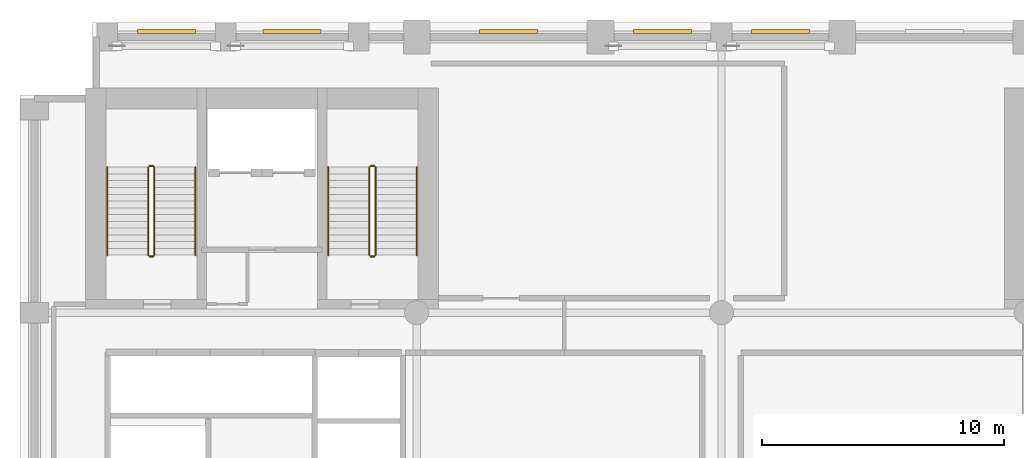
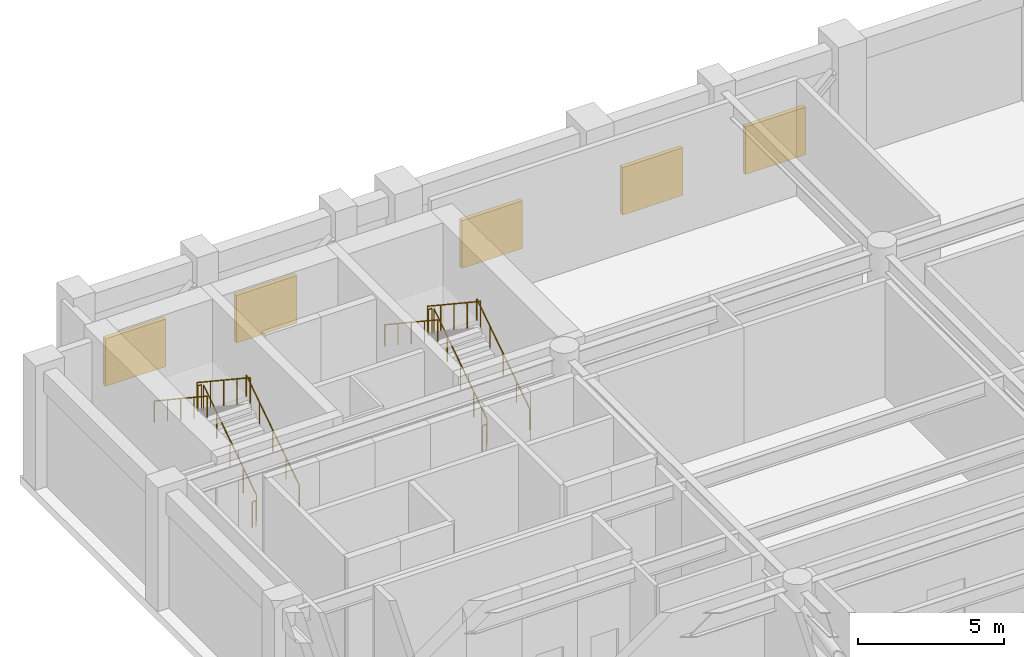
# One storey, part 10 of 11: 12 railings, 5 shading devices.
"""IFC4 building model written with IfcOpenShell, lengths in metres."""

from ifc_helpers import new_model, si_unit, direction, frame, origin, origin_2d, place, context, subcontext, project, spatial, rectangle, circle, extrude, material, type_object, element, save


model = new_model("IFC4")

# Units and contexts
model_context = context("Model", 3, precision=1e-05, world=origin(), true_north=direction((0.0, 1.0)))
body_context = subcontext(model_context, "Body", "Model", "MODEL_VIEW")
ifc_project = project(units=[si_unit("LENGTHUNIT", "METRE"), si_unit("AREAUNIT", "SQUARE_METRE"), si_unit("VOLUMEUNIT", "CUBIC_METRE"), si_unit("PLANEANGLEUNIT", "RADIAN"), si_unit("MASSUNIT", "GRAM", prefix="KILO")], contexts=[model_context])

# Site, building, storey
site_placement = place(None, origin())
site = spatial("IfcSite", under=ifc_project, at=site_placement, CompositionType="ELEMENT")
building_placement = place(site_placement, origin())
building = spatial("IfcBuilding", under=site, at=building_placement, Name="Sulina Concourse Tower", CompositionType="ELEMENT")
storey_placement = place(building_placement, frame((0.0, 0.0, 82.60009765625)))
storey = spatial("IfcBuildingStorey", under=building, at=storey_placement, Name="L20", CompositionType="ELEMENT", Elevation=82.60009765625)

# Railings
ifc_material_1 = material(Name="Galvanised steel railing", Category="steel")
railing_type_1 = type_object("IfcRailingType", Name="Core Stair Steel Guardrail 1150mm", PredefinedType="GUARDRAIL", material=ifc_material_1)
railing_1_placement = place(storey_placement, frame((5.554931640625, 36.375, 0.185546875)))
element("IfcRailing", 1, at=railing_1_placement, inside=storey, type_object=railing_type_1, Name="L20 ST-1 stair guard 1", PredefinedType="GUARDRAIL", context=body_context, shape_type="SweptSolid", body=[
    extrude(circle(Radius=0.02392578125, at=origin_2d()), frame((0.0, 0.0, 1.076171875), z_axis=(0.0, 0.833346510843, 0.552750932036), x_axis=(-1.0, 0.0, 0.0)), (0.0, 0.0, 1.0), 4.367919921875),
    extrude(circle(Radius=0.02099609375, at=origin_2d()), origin(), (0.0, 0.0, 1.0), 1.052001953125),
    extrude(circle(Radius=0.02099609375, at=origin_2d()), frame((0.0, 0.909912109375, 0.603515625)), (0.0, 0.0, 1.0), 1.052001953125),
    extrude(circle(Radius=0.02099609375, at=origin_2d()), frame((0.0, 1.81982421875, 1.20703125)), (0.0, 0.0, 1.0), 1.052001953125),
    extrude(circle(Radius=0.02099609375, at=origin_2d()), frame((0.0, 2.72998046875, 1.810791015625)), (0.0, 0.0, 1.0), 1.052001953125),
    extrude(circle(Radius=0.02099609375, at=origin_2d()), frame((0.0, 3.639892578125, 2.414306640625)), (0.0, 0.0, 1.0), 1.052001953125),
])
railing_2_placement = place(storey_placement, frame((5.5048828125, 40.06494140625, 2.599853515625)))
element("IfcRailing", 2, at=railing_2_placement, inside=storey, type_object=railing_type_1, Name="L20 ST-1 stair guard 2", PredefinedType="GUARDRAIL", context=body_context, shape_type="SweptSolid", body=[
    extrude(circle(Radius=0.02392578125, at=origin_2d()), frame((0.0, 0.0, 1.076171875), z_axis=(-1.0, 0.0, 0.0), x_axis=(0.0, -1.0, 0.0)), (0.0, 0.0, 1.0), 0.14990234375),
    extrude(circle(Radius=0.02099609375, at=origin_2d()), origin(), (0.0, 0.0, 1.0), 1.052001953125),
    extrude(circle(Radius=0.02099609375, at=origin_2d()), frame((-0.14990234375, 0.0, 0.0)), (0.0, 0.0, 1.0), 1.052001953125),
])
railing_3_placement = place(storey_placement, frame((5.304931640625, 40.014892578125, 2.78564453125)))
element("IfcRailing", 3, at=railing_3_placement, inside=storey, type_object=railing_type_1, Name="L20 ST-1 stair guard 3", PredefinedType="GUARDRAIL", context=body_context, shape_type="SweptSolid", body=[
    extrude(circle(Radius=0.02392578125, at=origin_2d()), frame((0.0, 0.0, 1.076171875), z_axis=(0.0, -0.833346510843, 0.552750932036), x_axis=(1.0, 0.0, 0.0)), (0.0, 0.0, 1.0), 4.367919921875),
    extrude(circle(Radius=0.02099609375, at=origin_2d()), origin(), (0.0, 0.0, 1.0), 1.052001953125),
    extrude(circle(Radius=0.02099609375, at=origin_2d()), frame((0.0, -0.909912109375, 0.603515625)), (0.0, 0.0, 1.0), 1.052001953125),
    extrude(circle(Radius=0.02099609375, at=origin_2d()), frame((0.0, -1.81982421875, 1.20703125)), (0.0, 0.0, 1.0), 1.052001953125),
    extrude(circle(Radius=0.02099609375, at=origin_2d()), frame((0.0, -2.72998046875, 1.810791015625)), (0.0, 0.0, 1.0), 1.052001953125),
    extrude(circle(Radius=0.02099609375, at=origin_2d()), frame((0.0, -3.639892578125, 2.414306640625)), (0.0, 0.0, 1.0), 1.052001953125),
])
railing_4_placement = place(storey_placement, frame((5.5048828125, 36.324951171875, 0.0)))
element("IfcRailing", 4, at=railing_4_placement, inside=storey, type_object=railing_type_1, Name="L20 ST-1 stair guard 4", PredefinedType="GUARDRAIL", context=body_context, shape_type="SweptSolid", body=[
    extrude(circle(Radius=0.02392578125, at=origin_2d()), frame((0.0, 0.0, 1.076171875), z_axis=(-1.0, 0.0, 0.0), x_axis=(0.0, -1.0, 0.0)), (0.0, 0.0, 1.0), 0.14990234375),
    extrude(circle(Radius=0.02099609375, at=origin_2d()), origin(), (0.0, 0.0, 1.0), 1.052001953125),
    extrude(circle(Radius=0.02099609375, at=origin_2d()), frame((-0.14990234375, 0.0, 0.0)), (0.0, 0.0, 1.0), 1.052001953125),
])
railing_5_placement = place(storey_placement, frame((14.695068359375, 36.375, 0.185546875)))
element("IfcRailing", 5, at=railing_5_placement, inside=storey, type_object=railing_type_1, Name="L20 ST-2 stair guard 1", PredefinedType="GUARDRAIL", context=body_context, shape_type="SweptSolid", body=[
    extrude(circle(Radius=0.02392578125, at=origin_2d()), frame((0.0, 0.0, 1.076171875), z_axis=(0.0, 0.833346510843, 0.552750932036), x_axis=(-1.0, 0.0, 0.0)), (0.0, 0.0, 1.0), 4.367919921875),
    extrude(circle(Radius=0.02099609375, at=origin_2d()), origin(), (0.0, 0.0, 1.0), 1.052001953125),
    extrude(circle(Radius=0.02099609375, at=origin_2d()), frame((0.0, 0.909912109375, 0.603515625)), (0.0, 0.0, 1.0), 1.052001953125),
    extrude(circle(Radius=0.02099609375, at=origin_2d()), frame((0.0, 1.81982421875, 1.20703125)), (0.0, 0.0, 1.0), 1.052001953125),
    extrude(circle(Radius=0.02099609375, at=origin_2d()), frame((0.0, 2.72998046875, 1.810791015625)), (0.0, 0.0, 1.0), 1.052001953125),
    extrude(circle(Radius=0.02099609375, at=origin_2d()), frame((0.0, 3.639892578125, 2.414306640625)), (0.0, 0.0, 1.0), 1.052001953125),
])
railing_6_placement = place(storey_placement, frame((14.64501953125, 40.06494140625, 2.599853515625)))
element("IfcRailing", 6, at=railing_6_placement, inside=storey, type_object=railing_type_1, Name="L20 ST-2 stair guard 2", PredefinedType="GUARDRAIL", context=body_context, shape_type="SweptSolid", body=[
    extrude(circle(Radius=0.02392578125, at=origin_2d()), frame((0.0, 0.0, 1.076171875), z_axis=(-1.0, 0.0, 0.0), x_axis=(0.0, -1.0, 0.0)), (0.0, 0.0, 1.0), 0.14990234375),
    extrude(circle(Radius=0.02099609375, at=origin_2d()), origin(), (0.0, 0.0, 1.0), 1.052001953125),
    extrude(circle(Radius=0.02099609375, at=origin_2d()), frame((-0.14990234375, 0.0, 0.0)), (0.0, 0.0, 1.0), 1.052001953125),
])
railing_7_placement = place(storey_placement, frame((14.445068359375, 40.014892578125, 2.78564453125)))
element("IfcRailing", 7, at=railing_7_placement, inside=storey, type_object=railing_type_1, Name="L20 ST-2 stair guard 3", PredefinedType="GUARDRAIL", context=body_context, shape_type="SweptSolid", body=[
    extrude(circle(Radius=0.02392578125, at=origin_2d()), frame((0.0, 0.0, 1.076171875), z_axis=(0.0, -0.833346510843, 0.552750932036), x_axis=(1.0, 0.0, 0.0)), (0.0, 0.0, 1.0), 4.367919921875),
    extrude(circle(Radius=0.02099609375, at=origin_2d()), origin(), (0.0, 0.0, 1.0), 1.052001953125),
    extrude(circle(Radius=0.02099609375, at=origin_2d()), frame((0.0, -0.909912109375, 0.603515625)), (0.0, 0.0, 1.0), 1.052001953125),
    extrude(circle(Radius=0.02099609375, at=origin_2d()), frame((0.0, -1.81982421875, 1.20703125)), (0.0, 0.0, 1.0), 1.052001953125),
    extrude(circle(Radius=0.02099609375, at=origin_2d()), frame((0.0, -2.72998046875, 1.810791015625)), (0.0, 0.0, 1.0), 1.052001953125),
    extrude(circle(Radius=0.02099609375, at=origin_2d()), frame((0.0, -3.639892578125, 2.414306640625)), (0.0, 0.0, 1.0), 1.052001953125),
])
railing_8_placement = place(storey_placement, frame((14.64501953125, 36.324951171875, 0.0)))
element("IfcRailing", 8, at=railing_8_placement, inside=storey, type_object=railing_type_1, Name="L20 ST-2 stair guard 4", PredefinedType="GUARDRAIL", context=body_context, shape_type="SweptSolid", body=[
    extrude(circle(Radius=0.02392578125, at=origin_2d()), frame((0.0, 0.0, 1.076171875), z_axis=(-1.0, 0.0, 0.0), x_axis=(0.0, -1.0, 0.0)), (0.0, 0.0, 1.0), 0.14990234375),
    extrude(circle(Radius=0.02099609375, at=origin_2d()), origin(), (0.0, 0.0, 1.0), 1.052001953125),
    extrude(circle(Radius=0.02099609375, at=origin_2d()), frame((-0.14990234375, 0.0, 0.0)), (0.0, 0.0, 1.0), 1.052001953125),
])

# Shading devices
ifc_material_2 = material(Name="Anodised bronze aluminium", Category="aluminium")
shading_device_type = type_object("IfcShadingDeviceType", Name="Plant Room Acoustic Weather Louvre Bank", PredefinedType="JALOUSIE", material=ifc_material_2)
for number, where, z_axis, x_axis, name in (
    (9, (6.050048828125, 45.6201171875, 0.5), (0.0, 0.0, 1.0), (1.0, 0.0, 0.0), "L20 acoustic weather louvre N1"),
    (10, (11.25, 45.6201171875, 0.5), (0.0, 0.0, 1.0), (1.0, 0.0, 0.0), "L20 acoustic weather louvre N2"),
    (11, (20.199951171875, 45.6201171875, 0.5), (0.0, 0.0, 1.0), (1.0, 0.0, 0.0), "L20 acoustic weather louvre N4"),
    (12, (26.5625, 45.6201171875, 0.5), (0.0, 0.0, 1.0), (1.0, 0.0, 0.0), "L20 acoustic weather louvre N5"),
    (13, (31.4375, 45.6201171875, 0.5), (0.0, 0.0, 1.0), (1.0, 0.0, 0.0), "L20 acoustic weather louvre N6"),
):
    element("IfcShadingDevice", number, at=place(storey_placement, frame(where, z_axis=z_axis, x_axis=x_axis)), inside=storey, type_object=shading_device_type, Name=name, PredefinedType="JALOUSIE", context=body_context, shape_type="SweptSolid", body=[
        extrude(rectangle(XDim=2.39990234375, YDim=0.159912109375, at=origin_2d()), origin(), (0.0, 0.0, 1.0), 2.0),
    ])

# Railings
ifc_material_3 = material(Name="Galvanised steel railing", Category="steel")
railing_type_2 = type_object("IfcRailingType", Name="Stair Wall Steel Handrail 920mm", PredefinedType="HANDRAIL", material=ifc_material_3)
railing_9_placement = place(storey_placement, frame((7.2548828125, 36.375, 0.185546875)))
element("IfcRailing", 14, at=railing_9_placement, inside=storey, type_object=railing_type_2, Name="L20 ST-1 stair handrail 1", PredefinedType="HANDRAIL", context=body_context, shape_type="SweptSolid", body=[
    extrude(circle(Radius=0.02392578125, at=origin_2d()), frame((0.0, 0.0, 0.89599609375), z_axis=(0.0, 0.833346510843, 0.552750932036), x_axis=(-1.0, 0.0, 0.0)), (0.0, 0.0, 1.0), 4.367919921875),
    extrude(circle(Radius=0.02099609375, at=origin_2d()), origin(), (0.0, 0.0, 1.0), 0.871826171875),
    extrude(circle(Radius=0.02099609375, at=origin_2d()), frame((0.0, 0.909912109375, 0.603515625)), (0.0, 0.0, 1.0), 0.871826171875),
    extrude(circle(Radius=0.02099609375, at=origin_2d()), frame((0.0, 1.81982421875, 1.20703125)), (0.0, 0.0, 1.0), 0.871826171875),
    extrude(circle(Radius=0.02099609375, at=origin_2d()), frame((0.0, 2.72998046875, 1.810791015625)), (0.0, 0.0, 1.0), 0.871826171875),
    extrude(circle(Radius=0.02099609375, at=origin_2d()), frame((0.0, 3.639892578125, 2.414306640625)), (0.0, 0.0, 1.0), 0.871826171875),
])
railing_10_placement = place(storey_placement, frame((3.60498046875, 40.014892578125, 2.78564453125)))
element("IfcRailing", 15, at=railing_10_placement, inside=storey, type_object=railing_type_2, Name="L20 ST-1 stair handrail 2", PredefinedType="HANDRAIL", context=body_context, shape_type="SweptSolid", body=[
    extrude(circle(Radius=0.02392578125, at=origin_2d()), frame((0.0, 0.0, 0.89599609375), z_axis=(0.0, -0.833346510843, 0.552750932036), x_axis=(1.0, 0.0, 0.0)), (0.0, 0.0, 1.0), 4.367919921875),
    extrude(circle(Radius=0.02099609375, at=origin_2d()), origin(), (0.0, 0.0, 1.0), 0.871826171875),
    extrude(circle(Radius=0.02099609375, at=origin_2d()), frame((0.0, -0.909912109375, 0.603515625)), (0.0, 0.0, 1.0), 0.871826171875),
    extrude(circle(Radius=0.02099609375, at=origin_2d()), frame((0.0, -1.81982421875, 1.20703125)), (0.0, 0.0, 1.0), 0.871826171875),
    extrude(circle(Radius=0.02099609375, at=origin_2d()), frame((0.0, -2.72998046875, 1.810791015625)), (0.0, 0.0, 1.0), 0.871826171875),
    extrude(circle(Radius=0.02099609375, at=origin_2d()), frame((0.0, -3.639892578125, 2.414306640625)), (0.0, 0.0, 1.0), 0.871826171875),
])
railing_11_placement = place(storey_placement, frame((16.39501953125, 36.375, 0.185546875)))
element("IfcRailing", 16, at=railing_11_placement, inside=storey, type_object=railing_type_2, Name="L20 ST-2 stair handrail 1", PredefinedType="HANDRAIL", context=body_context, shape_type="SweptSolid", body=[
    extrude(circle(Radius=0.02392578125, at=origin_2d()), frame((0.0, 0.0, 0.89599609375), z_axis=(0.0, 0.833346510843, 0.552750932036), x_axis=(-1.0, 0.0, 0.0)), (0.0, 0.0, 1.0), 4.367919921875),
    extrude(circle(Radius=0.02099609375, at=origin_2d()), origin(), (0.0, 0.0, 1.0), 0.871826171875),
    extrude(circle(Radius=0.02099609375, at=origin_2d()), frame((0.0, 0.909912109375, 0.603515625)), (0.0, 0.0, 1.0), 0.871826171875),
    extrude(circle(Radius=0.02099609375, at=origin_2d()), frame((0.0, 1.81982421875, 1.20703125)), (0.0, 0.0, 1.0), 0.871826171875),
    extrude(circle(Radius=0.02099609375, at=origin_2d()), frame((0.0, 2.72998046875, 1.810791015625)), (0.0, 0.0, 1.0), 0.871826171875),
    extrude(circle(Radius=0.02099609375, at=origin_2d()), frame((0.0, 3.639892578125, 2.414306640625)), (0.0, 0.0, 1.0), 0.871826171875),
])
railing_12_placement = place(storey_placement, frame((12.7451171875, 40.014892578125, 2.78564453125)))
element("IfcRailing", 17, at=railing_12_placement, inside=storey, type_object=railing_type_2, Name="L20 ST-2 stair handrail 2", PredefinedType="HANDRAIL", context=body_context, shape_type="SweptSolid", body=[
    extrude(circle(Radius=0.02392578125, at=origin_2d()), frame((0.0, 0.0, 0.89599609375), z_axis=(0.0, -0.833346510843, 0.552750932036), x_axis=(1.0, 0.0, 0.0)), (0.0, 0.0, 1.0), 4.367919921875),
    extrude(circle(Radius=0.02099609375, at=origin_2d()), origin(), (0.0, 0.0, 1.0), 0.871826171875),
    extrude(circle(Radius=0.02099609375, at=origin_2d()), frame((0.0, -0.909912109375, 0.603515625)), (0.0, 0.0, 1.0), 0.871826171875),
    extrude(circle(Radius=0.02099609375, at=origin_2d()), frame((0.0, -1.81982421875, 1.20703125)), (0.0, 0.0, 1.0), 0.871826171875),
    extrude(circle(Radius=0.02099609375, at=origin_2d()), frame((0.0, -2.72998046875, 1.810791015625)), (0.0, 0.0, 1.0), 0.871826171875),
    extrude(circle(Radius=0.02099609375, at=origin_2d()), frame((0.0, -3.639892578125, 2.414306640625)), (0.0, 0.0, 1.0), 0.871826171875),
])

save(model, "model.ifc")
